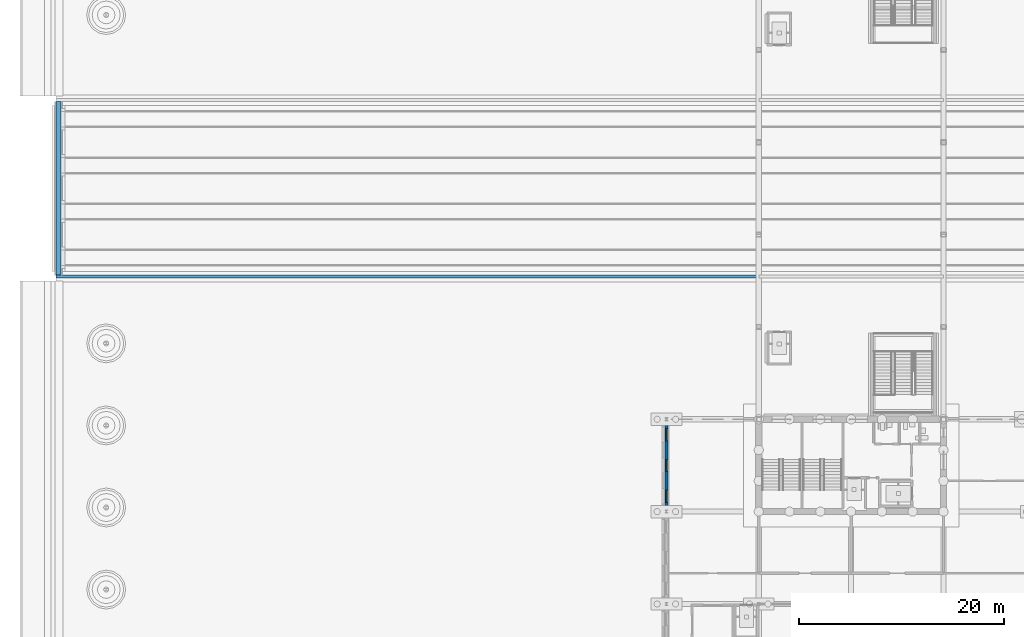
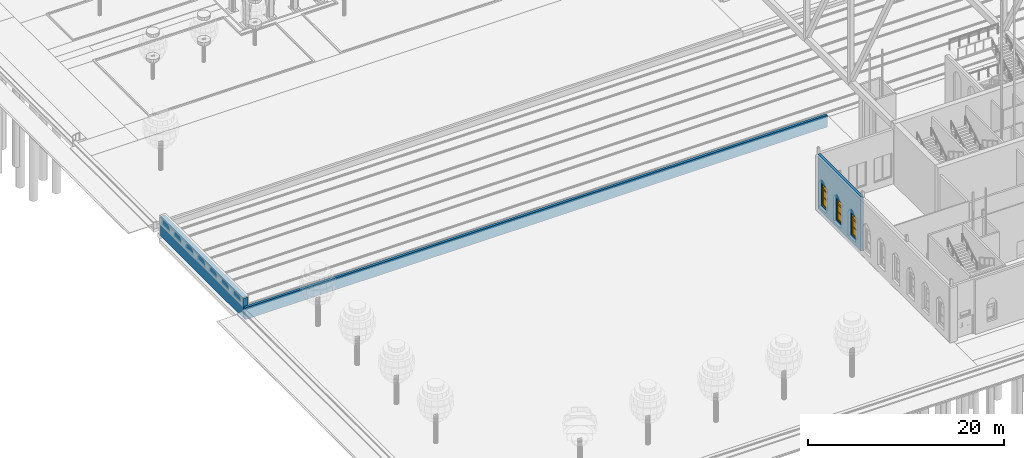
# One storey, part 89 of 250: 3 walls, 3 windows, 3 openings.
"""IFC4 building model written with IfcOpenShell, lengths in metres."""

from ifc_helpers import new_model, si_unit, direction, frame, frame_2d, origin, place, context, subcontext, project, spatial, polyline, rectangle, outline, extrude, material, layer, layer_set, type_object, element, fill, save


model = new_model("IFC4")

# Units and contexts
model_context = context("Model", 3, precision=1e-05, world=origin(), true_north=direction((0.0, 1.0)))
body_context = subcontext(model_context, "Body", "Model", "MODEL_VIEW")
ifc_project = project(units=[si_unit("LENGTHUNIT", "METRE"), si_unit("AREAUNIT", "SQUARE_METRE"), si_unit("VOLUMEUNIT", "CUBIC_METRE"), si_unit("PLANEANGLEUNIT", "RADIAN"), si_unit("MASSUNIT", "GRAM", prefix="KILO")], contexts=[model_context])

# Site, building, storey
site_placement = place(None, origin())
site = spatial("IfcSite", under=ifc_project, at=site_placement, CompositionType="ELEMENT")
building_placement = place(site_placement, origin())
building = spatial("IfcBuilding", under=site, at=building_placement, Name="Baradari Gate Terminus", CompositionType="ELEMENT")
storey_placement = place(building_placement, origin())
storey = spatial("IfcBuildingStorey", under=building, at=storey_placement, Name="L00", CompositionType="ELEMENT", Elevation=0.0)

# Wall, openings, windows
ifc_material_1 = material(Name="Sandstone masonry", Category="masonry")
ifc_layer_1 = layer(ifc_material_1, 0.320068359375)
ifc_layer_set_1 = layer_set([ifc_layer_1], Name="Sandstone masonry")
wall_type_1 = type_object("IfcWallType", Name="Sandstone masonry wall WS-3 320", PredefinedType="SOLIDWALL", material=ifc_layer_set_1)
wall_1_placement = place(storey_placement, frame((63.0, 27.130126953125, 0.0), z_axis=(0.0, 0.0, 1.0), x_axis=(0.0, 1.0, 0.0)))
wall_1 = element("IfcWall", 1, at=wall_1_placement, inside=storey, type_object=wall_type_1, Name="west end wall SW bay 4 L00", PredefinedType="SOLIDWALL", context=body_context, shape_type="SweptSolid", body=[
    extrude(rectangle(XDim=8.73974609375, YDim=0.320068359375, at=frame_2d((4.369873046875, 0.0))), origin(), (0.0, 0.0, 1.0), 6.767333984375),
])
opening_1_placement = place(wall_1_placement, frame((0.769775390625, 0.0, 0.89990234375)))
opening_1 = element("IfcOpeningElement", 2, at=opening_1_placement, cuts=wall_1, Name="Opening W7", PredefinedType="OPENING", context=body_context, shape_type="SweptSolid", body=[
    extrude(rectangle(XDim=1.199951171875, YDim=2.699951171875, at=frame_2d((0.60009765625, 1.35009765625))), frame((0.0, 0.169921875, 0.0), z_axis=(0.0, -1.0, 0.0), x_axis=(1.0, 0.0, 0.0)), (0.0, 0.0, 1.0), 0.340087890625),
])
opening_2_placement = place(wall_1_placement, frame((3.769775390625, 0.0, 0.89990234375)))
opening_2 = element("IfcOpeningElement", 3, at=opening_2_placement, cuts=wall_1, Name="Opening W7", PredefinedType="OPENING", context=body_context, shape_type="SweptSolid", body=[
    extrude(rectangle(XDim=1.199951171875, YDim=2.699951171875, at=frame_2d((0.60009765625, 1.35009765625))), frame((0.0, 0.169921875, 0.0), z_axis=(0.0, -1.0, 0.0), x_axis=(1.0, 0.0, 0.0)), (0.0, 0.0, 1.0), 0.340087890625),
])
opening_3_placement = place(wall_1_placement, frame((6.769775390625, 0.0, 0.89990234375)))
opening_3 = element("IfcOpeningElement", 4, at=opening_3_placement, cuts=wall_1, Name="Opening W7", PredefinedType="OPENING", context=body_context, shape_type="SweptSolid", body=[
    extrude(rectangle(XDim=1.199951171875, YDim=2.699951171875, at=frame_2d((0.60009765625, 1.35009765625))), frame((0.0, 0.169921875, 0.0), z_axis=(0.0, -1.0, 0.0), x_axis=(1.0, 0.0, 0.0)), (0.0, 0.0, 1.0), 0.340087890625),
])
ifc_material_2 = material(Name="Aluminium 6063-T6", Category="aluminium")
window_type = type_object("IfcWindowType", Name="Service block window W7 1200x2700", PartitioningType="DOUBLE_PANEL_HORIZONTAL", PredefinedType="WINDOW", material=ifc_material_2)
window_1_placement = place(opening_1_placement, origin())
window_1 = element("IfcWindow", 5, at=window_1_placement, inside=storey, type_object=window_type, Name="Window W7 SW/03", OverallHeight=2.7, OverallWidth=1.2, PartitioningType="DOUBLE_PANEL_HORIZONTAL", PredefinedType="WINDOW", context=body_context, shape_type="SweptSolid", body=[
    extrude(outline(polyline([(0.0, 0.0), (1.199951171875, 0.0), (1.199951171875, 1.969970703125), (1.195068359375, 2.05517578125), (1.180419921875, 2.13916015625), (1.15625, 2.220947265625), (1.123046875, 2.29931640625), (1.0810546875, 2.37353515625), (1.03076171875, 2.4423828125), (0.972900390625, 2.505126953125), (0.908203125, 2.560791015625), (0.837646484375, 2.608642578125), (0.76220703125, 2.648193359375), (0.6826171875, 2.6787109375), (0.599853515625, 2.699951171875), (0.517333984375, 2.6787109375), (0.437744140625, 2.648193359375), (0.3623046875, 2.608642578125), (0.291748046875, 2.560791015625), (0.22705078125, 2.505126953125), (0.169189453125, 2.4423828125), (0.118896484375, 2.37353515625), (0.076904296875, 2.29931640625), (0.043701171875, 2.220947265625), (0.01953125, 2.13916015625), (0.0048828125, 2.05517578125), (0.0, 1.969970703125), (0.0, 0.0)]), holes=[polyline([(0.070068359375, 0.070068359375), (1.1298828125, 0.070068359375), (1.1298828125, 1.969970703125), (1.12548828125, 2.0458984375), (1.11279296875, 2.12109375), (1.091552734375, 2.1943359375), (1.062255859375, 2.2646484375), (1.025390625, 2.3310546875), (0.98095703125, 2.39306640625), (0.929931640625, 2.44970703125), (0.873046875, 2.500244140625), (0.810791015625, 2.5439453125), (0.743896484375, 2.58056640625), (0.67333984375, 2.609375), (0.60009765625, 2.6298828125), (0.526611328125, 2.609375), (0.4560546875, 2.58056640625), (0.38916015625, 2.5439453125), (0.326904296875, 2.500244140625), (0.27001953125, 2.44970703125), (0.218994140625, 2.39306640625), (0.174560546875, 2.3310546875), (0.1376953125, 2.2646484375), (0.1083984375, 2.1943359375), (0.087158203125, 2.12109375), (0.074462890625, 2.0458984375), (0.070068359375, 1.969970703125), (0.070068359375, 0.070068359375)])]), frame((0.0, 0.030029296875, 0.0), z_axis=(0.0, -1.0, 0.0), x_axis=(1.0, 0.0, 0.0)), (0.0, 0.0, 1.0), 0.06005859375),
    extrude(outline(polyline([(0.0, 1.969970703125), (0.0048828125, 2.05517578125), (0.01953125, 2.13916015625), (0.043701171875, 2.220947265625), (0.076904296875, 2.29931640625), (0.118896484375, 2.37353515625), (0.169189453125, 2.4423828125), (0.22705078125, 2.505126953125), (0.291748046875, 2.560791015625), (0.3623046875, 2.608642578125), (0.437744140625, 2.648193359375), (0.517333984375, 2.6787109375), (0.599853515625, 2.699951171875), (0.0, 2.699951171875), (0.0, 1.969970703125)])), frame((0.0, 0.028076171875, 0.0), z_axis=(0.0, -1.0, 0.0), x_axis=(1.0, 0.0, 0.0)), (0.0, 0.0, 1.0), 0.05615234375),
    extrude(outline(polyline([(0.599853515625, 2.699951171875), (0.6826171875, 2.6787109375), (0.76220703125, 2.648193359375), (0.837646484375, 2.608642578125), (0.908203125, 2.560791015625), (0.972900390625, 2.505126953125), (1.03076171875, 2.4423828125), (1.0810546875, 2.37353515625), (1.123046875, 2.29931640625), (1.15625, 2.220947265625), (1.180419921875, 2.13916015625), (1.195068359375, 2.05517578125), (1.199951171875, 1.969970703125), (1.199951171875, 2.699951171875), (0.599853515625, 2.699951171875)])), frame((0.0, 0.027099609375, 0.0), z_axis=(0.0, -1.0, 0.0), x_axis=(1.0, 0.0, 0.0)), (0.0, 0.0, 1.0), 0.05419921875),
    extrude(outline(polyline([(1.127685546875, 2.010009765625), (0.072265625, 2.010009765625), (0.070068359375, 1.969970703125), (0.070068359375, 1.929931640625), (1.1298828125, 1.929931640625), (1.1298828125, 1.969970703125), (1.127685546875, 2.010009765625)])), frame((0.0, 0.02099609375, 0.0), z_axis=(0.0, -1.0, 0.0), x_axis=(1.0, 0.0, 0.0)), (0.0, 0.0, 1.0), 0.0419921875),
    extrude(rectangle(XDim=1.059814453125, YDim=0.0400390625, at=frame_2d((0.60009765625, 1.0))), frame((0.0, 0.021484375, 0.0), z_axis=(0.0, -1.0, 0.0), x_axis=(1.0, 0.0, 0.0)), (0.0, 0.0, 1.0), 0.04296875),
    extrude(outline(polyline([(0.070068359375, 0.070068359375), (1.1298828125, 0.070068359375), (1.1298828125, 0.97998046875), (0.070068359375, 0.97998046875), (0.070068359375, 0.070068359375)]), holes=[polyline([(0.10009765625, 0.10009765625), (1.099853515625, 0.10009765625), (1.099853515625, 0.949951171875), (0.10009765625, 0.949951171875), (0.10009765625, 0.10009765625)])]), frame((0.0, 0.0224609375, 0.0), z_axis=(0.0, -1.0, 0.0), x_axis=(1.0, 0.0, 0.0)), (0.0, 0.0, 1.0), 0.044921875),
    extrude(rectangle(XDim=0.999755859375, YDim=0.849853515625, at=frame_2d((0.60009765625, 0.52490234375))), frame((0.0, 0.006103515625, 0.0), z_axis=(0.0, -1.0, 0.0), x_axis=(1.0, 0.0, 0.0)), (0.0, 0.0, 1.0), 0.01220703125),
    extrude(outline(polyline([(0.070068359375, 1.02001953125), (1.1298828125, 1.02001953125), (1.1298828125, 1.929931640625), (0.070068359375, 1.929931640625), (0.070068359375, 1.02001953125)]), holes=[polyline([(0.10009765625, 1.050048828125), (1.099853515625, 1.050048828125), (1.099853515625, 1.89990234375), (0.10009765625, 1.89990234375), (0.10009765625, 1.050048828125)])]), frame((0.0, 0.0224609375, 0.0), z_axis=(0.0, -1.0, 0.0), x_axis=(1.0, 0.0, 0.0)), (0.0, 0.0, 1.0), 0.044921875),
    extrude(rectangle(XDim=0.999755859375, YDim=0.849853515625, at=frame_2d((0.60009765625, 1.47509765625))), frame((0.0, 0.006103515625, 0.0), z_axis=(0.0, -1.0, 0.0), x_axis=(1.0, 0.0, 0.0)), (0.0, 0.0, 1.0), 0.01220703125),
    extrude(outline(polyline([(0.072265625, 2.010009765625), (1.127685546875, 2.010009765625), (1.12548828125, 2.0458984375), (1.11279296875, 2.12109375), (1.091552734375, 2.1943359375), (1.062255859375, 2.2646484375), (1.025390625, 2.3310546875), (0.98095703125, 2.39306640625), (0.929931640625, 2.44970703125), (0.873046875, 2.500244140625), (0.810791015625, 2.5439453125), (0.743896484375, 2.58056640625), (0.67333984375, 2.609375), (0.60009765625, 2.6298828125), (0.526611328125, 2.609375), (0.4560546875, 2.58056640625), (0.38916015625, 2.5439453125), (0.326904296875, 2.500244140625), (0.27001953125, 2.44970703125), (0.218994140625, 2.39306640625), (0.174560546875, 2.3310546875), (0.1376953125, 2.2646484375), (0.1083984375, 2.1943359375), (0.087158203125, 2.12109375), (0.074462890625, 2.0458984375), (0.072265625, 2.010009765625)]), holes=[polyline([(0.10986328125, 2.044921875), (0.121337890625, 2.11328125), (0.141357421875, 2.1826171875), (0.169189453125, 2.249267578125), (0.2041015625, 2.312255859375), (0.246337890625, 2.37109375), (0.294677734375, 2.4248046875), (0.3486328125, 2.47265625), (0.40771484375, 2.51416015625), (0.47119140625, 2.548828125), (0.5380859375, 2.576171875), (0.60009765625, 2.593505859375), (0.661865234375, 2.576171875), (0.728759765625, 2.548828125), (0.792236328125, 2.51416015625), (0.851318359375, 2.47265625), (0.9052734375, 2.4248046875), (0.95361328125, 2.37109375), (0.995849609375, 2.312255859375), (1.03076171875, 2.249267578125), (1.05859375, 2.1826171875), (1.07861328125, 2.11328125), (1.090087890625, 2.044921875), (0.10986328125, 2.044921875)])]), frame((0.0, 0.0224609375, 0.0), z_axis=(0.0, -1.0, 0.0), x_axis=(1.0, 0.0, 0.0)), (0.0, 0.0, 1.0), 0.044921875),
    extrude(outline(polyline([(1.090087890625, 2.044921875), (1.07861328125, 2.11328125), (1.05859375, 2.1826171875), (1.03076171875, 2.249267578125), (0.995849609375, 2.312255859375), (0.95361328125, 2.37109375), (0.9052734375, 2.4248046875), (0.851318359375, 2.47265625), (0.792236328125, 2.51416015625), (0.728759765625, 2.548828125), (0.661865234375, 2.576171875), (0.60009765625, 2.593505859375), (0.5380859375, 2.576171875), (0.47119140625, 2.548828125), (0.40771484375, 2.51416015625), (0.3486328125, 2.47265625), (0.294677734375, 2.4248046875), (0.246337890625, 2.37109375), (0.2041015625, 2.312255859375), (0.169189453125, 2.249267578125), (0.141357421875, 2.1826171875), (0.121337890625, 2.11328125), (0.10986328125, 2.044921875), (1.090087890625, 2.044921875)])), frame((0.0, 0.006103515625, 0.0), z_axis=(0.0, -1.0, 0.0), x_axis=(1.0, 0.0, 0.0)), (0.0, 0.0, 1.0), 0.01220703125),
])
fill(opening_1, window_1)
window_2_placement = place(opening_2_placement, origin())
window_2 = element("IfcWindow", 6, at=window_2_placement, inside=storey, type_object=window_type, Name="Window W7 SW/03", OverallHeight=2.7, OverallWidth=1.2, PartitioningType="DOUBLE_PANEL_HORIZONTAL", PredefinedType="WINDOW", context=body_context, shape_type="SweptSolid", body=[
    extrude(outline(polyline([(0.0, 0.0), (1.199951171875, 0.0), (1.199951171875, 1.969970703125), (1.195068359375, 2.05517578125), (1.180419921875, 2.13916015625), (1.15625, 2.220947265625), (1.123046875, 2.29931640625), (1.0810546875, 2.37353515625), (1.03076171875, 2.4423828125), (0.972900390625, 2.505126953125), (0.908203125, 2.560791015625), (0.837646484375, 2.608642578125), (0.76220703125, 2.648193359375), (0.6826171875, 2.6787109375), (0.599853515625, 2.699951171875), (0.517333984375, 2.6787109375), (0.437744140625, 2.648193359375), (0.3623046875, 2.608642578125), (0.291748046875, 2.560791015625), (0.22705078125, 2.505126953125), (0.169189453125, 2.4423828125), (0.118896484375, 2.37353515625), (0.076904296875, 2.29931640625), (0.043701171875, 2.220947265625), (0.01953125, 2.13916015625), (0.0048828125, 2.05517578125), (0.0, 1.969970703125), (0.0, 0.0)]), holes=[polyline([(0.070068359375, 0.070068359375), (1.1298828125, 0.070068359375), (1.1298828125, 1.969970703125), (1.12548828125, 2.0458984375), (1.11279296875, 2.12109375), (1.091552734375, 2.1943359375), (1.062255859375, 2.2646484375), (1.025390625, 2.3310546875), (0.98095703125, 2.39306640625), (0.929931640625, 2.44970703125), (0.873046875, 2.500244140625), (0.810791015625, 2.5439453125), (0.743896484375, 2.58056640625), (0.67333984375, 2.609375), (0.60009765625, 2.6298828125), (0.526611328125, 2.609375), (0.4560546875, 2.58056640625), (0.38916015625, 2.5439453125), (0.326904296875, 2.500244140625), (0.27001953125, 2.44970703125), (0.218994140625, 2.39306640625), (0.174560546875, 2.3310546875), (0.1376953125, 2.2646484375), (0.1083984375, 2.1943359375), (0.087158203125, 2.12109375), (0.074462890625, 2.0458984375), (0.070068359375, 1.969970703125), (0.070068359375, 0.070068359375)])]), frame((0.0, 0.030029296875, 0.0), z_axis=(0.0, -1.0, 0.0), x_axis=(1.0, 0.0, 0.0)), (0.0, 0.0, 1.0), 0.06005859375),
    extrude(outline(polyline([(0.0, 1.969970703125), (0.0048828125, 2.05517578125), (0.01953125, 2.13916015625), (0.043701171875, 2.220947265625), (0.076904296875, 2.29931640625), (0.118896484375, 2.37353515625), (0.169189453125, 2.4423828125), (0.22705078125, 2.505126953125), (0.291748046875, 2.560791015625), (0.3623046875, 2.608642578125), (0.437744140625, 2.648193359375), (0.517333984375, 2.6787109375), (0.599853515625, 2.699951171875), (0.0, 2.699951171875), (0.0, 1.969970703125)])), frame((0.0, 0.028076171875, 0.0), z_axis=(0.0, -1.0, 0.0), x_axis=(1.0, 0.0, 0.0)), (0.0, 0.0, 1.0), 0.05615234375),
    extrude(outline(polyline([(0.599853515625, 2.699951171875), (0.6826171875, 2.6787109375), (0.76220703125, 2.648193359375), (0.837646484375, 2.608642578125), (0.908203125, 2.560791015625), (0.972900390625, 2.505126953125), (1.03076171875, 2.4423828125), (1.0810546875, 2.37353515625), (1.123046875, 2.29931640625), (1.15625, 2.220947265625), (1.180419921875, 2.13916015625), (1.195068359375, 2.05517578125), (1.199951171875, 1.969970703125), (1.199951171875, 2.699951171875), (0.599853515625, 2.699951171875)])), frame((0.0, 0.027099609375, 0.0), z_axis=(0.0, -1.0, 0.0), x_axis=(1.0, 0.0, 0.0)), (0.0, 0.0, 1.0), 0.05419921875),
    extrude(outline(polyline([(1.127685546875, 2.010009765625), (0.072265625, 2.010009765625), (0.070068359375, 1.969970703125), (0.070068359375, 1.929931640625), (1.1298828125, 1.929931640625), (1.1298828125, 1.969970703125), (1.127685546875, 2.010009765625)])), frame((0.0, 0.02099609375, 0.0), z_axis=(0.0, -1.0, 0.0), x_axis=(1.0, 0.0, 0.0)), (0.0, 0.0, 1.0), 0.0419921875),
    extrude(rectangle(XDim=1.059814453125, YDim=0.0400390625, at=frame_2d((0.60009765625, 1.0))), frame((0.0, 0.021484375, 0.0), z_axis=(0.0, -1.0, 0.0), x_axis=(1.0, 0.0, 0.0)), (0.0, 0.0, 1.0), 0.04296875),
    extrude(outline(polyline([(0.070068359375, 0.070068359375), (1.1298828125, 0.070068359375), (1.1298828125, 0.97998046875), (0.070068359375, 0.97998046875), (0.070068359375, 0.070068359375)]), holes=[polyline([(0.10009765625, 0.10009765625), (1.099853515625, 0.10009765625), (1.099853515625, 0.949951171875), (0.10009765625, 0.949951171875), (0.10009765625, 0.10009765625)])]), frame((0.0, 0.0224609375, 0.0), z_axis=(0.0, -1.0, 0.0), x_axis=(1.0, 0.0, 0.0)), (0.0, 0.0, 1.0), 0.044921875),
    extrude(rectangle(XDim=0.999755859375, YDim=0.849853515625, at=frame_2d((0.60009765625, 0.52490234375))), frame((0.0, 0.006103515625, 0.0), z_axis=(0.0, -1.0, 0.0), x_axis=(1.0, 0.0, 0.0)), (0.0, 0.0, 1.0), 0.01220703125),
    extrude(outline(polyline([(0.070068359375, 1.02001953125), (1.1298828125, 1.02001953125), (1.1298828125, 1.929931640625), (0.070068359375, 1.929931640625), (0.070068359375, 1.02001953125)]), holes=[polyline([(0.10009765625, 1.050048828125), (1.099853515625, 1.050048828125), (1.099853515625, 1.89990234375), (0.10009765625, 1.89990234375), (0.10009765625, 1.050048828125)])]), frame((0.0, 0.0224609375, 0.0), z_axis=(0.0, -1.0, 0.0), x_axis=(1.0, 0.0, 0.0)), (0.0, 0.0, 1.0), 0.044921875),
    extrude(rectangle(XDim=0.999755859375, YDim=0.849853515625, at=frame_2d((0.60009765625, 1.47509765625))), frame((0.0, 0.006103515625, 0.0), z_axis=(0.0, -1.0, 0.0), x_axis=(1.0, 0.0, 0.0)), (0.0, 0.0, 1.0), 0.01220703125),
    extrude(outline(polyline([(0.072265625, 2.010009765625), (1.127685546875, 2.010009765625), (1.12548828125, 2.0458984375), (1.11279296875, 2.12109375), (1.091552734375, 2.1943359375), (1.062255859375, 2.2646484375), (1.025390625, 2.3310546875), (0.98095703125, 2.39306640625), (0.929931640625, 2.44970703125), (0.873046875, 2.500244140625), (0.810791015625, 2.5439453125), (0.743896484375, 2.58056640625), (0.67333984375, 2.609375), (0.60009765625, 2.6298828125), (0.526611328125, 2.609375), (0.4560546875, 2.58056640625), (0.38916015625, 2.5439453125), (0.326904296875, 2.500244140625), (0.27001953125, 2.44970703125), (0.218994140625, 2.39306640625), (0.174560546875, 2.3310546875), (0.1376953125, 2.2646484375), (0.1083984375, 2.1943359375), (0.087158203125, 2.12109375), (0.074462890625, 2.0458984375), (0.072265625, 2.010009765625)]), holes=[polyline([(0.10986328125, 2.044921875), (0.121337890625, 2.11328125), (0.141357421875, 2.1826171875), (0.169189453125, 2.249267578125), (0.2041015625, 2.312255859375), (0.246337890625, 2.37109375), (0.294677734375, 2.4248046875), (0.3486328125, 2.47265625), (0.40771484375, 2.51416015625), (0.47119140625, 2.548828125), (0.5380859375, 2.576171875), (0.60009765625, 2.593505859375), (0.661865234375, 2.576171875), (0.728759765625, 2.548828125), (0.792236328125, 2.51416015625), (0.851318359375, 2.47265625), (0.9052734375, 2.4248046875), (0.95361328125, 2.37109375), (0.995849609375, 2.312255859375), (1.03076171875, 2.249267578125), (1.05859375, 2.1826171875), (1.07861328125, 2.11328125), (1.090087890625, 2.044921875), (0.10986328125, 2.044921875)])]), frame((0.0, 0.0224609375, 0.0), z_axis=(0.0, -1.0, 0.0), x_axis=(1.0, 0.0, 0.0)), (0.0, 0.0, 1.0), 0.044921875),
    extrude(outline(polyline([(1.090087890625, 2.044921875), (1.07861328125, 2.11328125), (1.05859375, 2.1826171875), (1.03076171875, 2.249267578125), (0.995849609375, 2.312255859375), (0.95361328125, 2.37109375), (0.9052734375, 2.4248046875), (0.851318359375, 2.47265625), (0.792236328125, 2.51416015625), (0.728759765625, 2.548828125), (0.661865234375, 2.576171875), (0.60009765625, 2.593505859375), (0.5380859375, 2.576171875), (0.47119140625, 2.548828125), (0.40771484375, 2.51416015625), (0.3486328125, 2.47265625), (0.294677734375, 2.4248046875), (0.246337890625, 2.37109375), (0.2041015625, 2.312255859375), (0.169189453125, 2.249267578125), (0.141357421875, 2.1826171875), (0.121337890625, 2.11328125), (0.10986328125, 2.044921875), (1.090087890625, 2.044921875)])), frame((0.0, 0.006103515625, 0.0), z_axis=(0.0, -1.0, 0.0), x_axis=(1.0, 0.0, 0.0)), (0.0, 0.0, 1.0), 0.01220703125),
])
fill(opening_2, window_2)
window_3_placement = place(opening_3_placement, origin())
window_3 = element("IfcWindow", 7, at=window_3_placement, inside=storey, type_object=window_type, Name="Window W7 SW/03", OverallHeight=2.7, OverallWidth=1.2, PartitioningType="DOUBLE_PANEL_HORIZONTAL", PredefinedType="WINDOW", context=body_context, shape_type="SweptSolid", body=[
    extrude(outline(polyline([(0.0, 0.0), (1.199951171875, 0.0), (1.199951171875, 1.969970703125), (1.195068359375, 2.05517578125), (1.180419921875, 2.13916015625), (1.15625, 2.220947265625), (1.123046875, 2.29931640625), (1.0810546875, 2.37353515625), (1.03076171875, 2.4423828125), (0.972900390625, 2.505126953125), (0.908203125, 2.560791015625), (0.837646484375, 2.608642578125), (0.76220703125, 2.648193359375), (0.6826171875, 2.6787109375), (0.599853515625, 2.699951171875), (0.517333984375, 2.6787109375), (0.437744140625, 2.648193359375), (0.3623046875, 2.608642578125), (0.291748046875, 2.560791015625), (0.22705078125, 2.505126953125), (0.169189453125, 2.4423828125), (0.118896484375, 2.37353515625), (0.076904296875, 2.29931640625), (0.043701171875, 2.220947265625), (0.01953125, 2.13916015625), (0.0048828125, 2.05517578125), (0.0, 1.969970703125), (0.0, 0.0)]), holes=[polyline([(0.070068359375, 0.070068359375), (1.1298828125, 0.070068359375), (1.1298828125, 1.969970703125), (1.12548828125, 2.0458984375), (1.11279296875, 2.12109375), (1.091552734375, 2.1943359375), (1.062255859375, 2.2646484375), (1.025390625, 2.3310546875), (0.98095703125, 2.39306640625), (0.929931640625, 2.44970703125), (0.873046875, 2.500244140625), (0.810791015625, 2.5439453125), (0.743896484375, 2.58056640625), (0.67333984375, 2.609375), (0.60009765625, 2.6298828125), (0.526611328125, 2.609375), (0.4560546875, 2.58056640625), (0.38916015625, 2.5439453125), (0.326904296875, 2.500244140625), (0.27001953125, 2.44970703125), (0.218994140625, 2.39306640625), (0.174560546875, 2.3310546875), (0.1376953125, 2.2646484375), (0.1083984375, 2.1943359375), (0.087158203125, 2.12109375), (0.074462890625, 2.0458984375), (0.070068359375, 1.969970703125), (0.070068359375, 0.070068359375)])]), frame((0.0, 0.030029296875, 0.0), z_axis=(0.0, -1.0, 0.0), x_axis=(1.0, 0.0, 0.0)), (0.0, 0.0, 1.0), 0.06005859375),
    extrude(outline(polyline([(0.0, 1.969970703125), (0.0048828125, 2.05517578125), (0.01953125, 2.13916015625), (0.043701171875, 2.220947265625), (0.076904296875, 2.29931640625), (0.118896484375, 2.37353515625), (0.169189453125, 2.4423828125), (0.22705078125, 2.505126953125), (0.291748046875, 2.560791015625), (0.3623046875, 2.608642578125), (0.437744140625, 2.648193359375), (0.517333984375, 2.6787109375), (0.599853515625, 2.699951171875), (0.0, 2.699951171875), (0.0, 1.969970703125)])), frame((0.0, 0.028076171875, 0.0), z_axis=(0.0, -1.0, 0.0), x_axis=(1.0, 0.0, 0.0)), (0.0, 0.0, 1.0), 0.05615234375),
    extrude(outline(polyline([(0.599853515625, 2.699951171875), (0.6826171875, 2.6787109375), (0.76220703125, 2.648193359375), (0.837646484375, 2.608642578125), (0.908203125, 2.560791015625), (0.972900390625, 2.505126953125), (1.03076171875, 2.4423828125), (1.0810546875, 2.37353515625), (1.123046875, 2.29931640625), (1.15625, 2.220947265625), (1.180419921875, 2.13916015625), (1.195068359375, 2.05517578125), (1.199951171875, 1.969970703125), (1.199951171875, 2.699951171875), (0.599853515625, 2.699951171875)])), frame((0.0, 0.027099609375, 0.0), z_axis=(0.0, -1.0, 0.0), x_axis=(1.0, 0.0, 0.0)), (0.0, 0.0, 1.0), 0.05419921875),
    extrude(outline(polyline([(1.127685546875, 2.010009765625), (0.072265625, 2.010009765625), (0.070068359375, 1.969970703125), (0.070068359375, 1.929931640625), (1.1298828125, 1.929931640625), (1.1298828125, 1.969970703125), (1.127685546875, 2.010009765625)])), frame((0.0, 0.02099609375, 0.0), z_axis=(0.0, -1.0, 0.0), x_axis=(1.0, 0.0, 0.0)), (0.0, 0.0, 1.0), 0.0419921875),
    extrude(rectangle(XDim=1.059814453125, YDim=0.0400390625, at=frame_2d((0.60009765625, 1.0))), frame((0.0, 0.021484375, 0.0), z_axis=(0.0, -1.0, 0.0), x_axis=(1.0, 0.0, 0.0)), (0.0, 0.0, 1.0), 0.04296875),
    extrude(outline(polyline([(0.070068359375, 0.070068359375), (1.1298828125, 0.070068359375), (1.1298828125, 0.97998046875), (0.070068359375, 0.97998046875), (0.070068359375, 0.070068359375)]), holes=[polyline([(0.10009765625, 0.10009765625), (1.099853515625, 0.10009765625), (1.099853515625, 0.949951171875), (0.10009765625, 0.949951171875), (0.10009765625, 0.10009765625)])]), frame((0.0, 0.0224609375, 0.0), z_axis=(0.0, -1.0, 0.0), x_axis=(1.0, 0.0, 0.0)), (0.0, 0.0, 1.0), 0.044921875),
    extrude(rectangle(XDim=0.999755859375, YDim=0.849853515625, at=frame_2d((0.60009765625, 0.52490234375))), frame((0.0, 0.006103515625, 0.0), z_axis=(0.0, -1.0, 0.0), x_axis=(1.0, 0.0, 0.0)), (0.0, 0.0, 1.0), 0.01220703125),
    extrude(outline(polyline([(0.070068359375, 1.02001953125), (1.1298828125, 1.02001953125), (1.1298828125, 1.929931640625), (0.070068359375, 1.929931640625), (0.070068359375, 1.02001953125)]), holes=[polyline([(0.10009765625, 1.050048828125), (1.099853515625, 1.050048828125), (1.099853515625, 1.89990234375), (0.10009765625, 1.89990234375), (0.10009765625, 1.050048828125)])]), frame((0.0, 0.0224609375, 0.0), z_axis=(0.0, -1.0, 0.0), x_axis=(1.0, 0.0, 0.0)), (0.0, 0.0, 1.0), 0.044921875),
    extrude(rectangle(XDim=0.999755859375, YDim=0.849853515625, at=frame_2d((0.60009765625, 1.47509765625))), frame((0.0, 0.006103515625, 0.0), z_axis=(0.0, -1.0, 0.0), x_axis=(1.0, 0.0, 0.0)), (0.0, 0.0, 1.0), 0.01220703125),
    extrude(outline(polyline([(0.072265625, 2.010009765625), (1.127685546875, 2.010009765625), (1.12548828125, 2.0458984375), (1.11279296875, 2.12109375), (1.091552734375, 2.1943359375), (1.062255859375, 2.2646484375), (1.025390625, 2.3310546875), (0.98095703125, 2.39306640625), (0.929931640625, 2.44970703125), (0.873046875, 2.500244140625), (0.810791015625, 2.5439453125), (0.743896484375, 2.58056640625), (0.67333984375, 2.609375), (0.60009765625, 2.6298828125), (0.526611328125, 2.609375), (0.4560546875, 2.58056640625), (0.38916015625, 2.5439453125), (0.326904296875, 2.500244140625), (0.27001953125, 2.44970703125), (0.218994140625, 2.39306640625), (0.174560546875, 2.3310546875), (0.1376953125, 2.2646484375), (0.1083984375, 2.1943359375), (0.087158203125, 2.12109375), (0.074462890625, 2.0458984375), (0.072265625, 2.010009765625)]), holes=[polyline([(0.10986328125, 2.044921875), (0.121337890625, 2.11328125), (0.141357421875, 2.1826171875), (0.169189453125, 2.249267578125), (0.2041015625, 2.312255859375), (0.246337890625, 2.37109375), (0.294677734375, 2.4248046875), (0.3486328125, 2.47265625), (0.40771484375, 2.51416015625), (0.47119140625, 2.548828125), (0.5380859375, 2.576171875), (0.60009765625, 2.593505859375), (0.661865234375, 2.576171875), (0.728759765625, 2.548828125), (0.792236328125, 2.51416015625), (0.851318359375, 2.47265625), (0.9052734375, 2.4248046875), (0.95361328125, 2.37109375), (0.995849609375, 2.312255859375), (1.03076171875, 2.249267578125), (1.05859375, 2.1826171875), (1.07861328125, 2.11328125), (1.090087890625, 2.044921875), (0.10986328125, 2.044921875)])]), frame((0.0, 0.0224609375, 0.0), z_axis=(0.0, -1.0, 0.0), x_axis=(1.0, 0.0, 0.0)), (0.0, 0.0, 1.0), 0.044921875),
    extrude(outline(polyline([(1.090087890625, 2.044921875), (1.07861328125, 2.11328125), (1.05859375, 2.1826171875), (1.03076171875, 2.249267578125), (0.995849609375, 2.312255859375), (0.95361328125, 2.37109375), (0.9052734375, 2.4248046875), (0.851318359375, 2.47265625), (0.792236328125, 2.51416015625), (0.728759765625, 2.548828125), (0.661865234375, 2.576171875), (0.60009765625, 2.593505859375), (0.5380859375, 2.576171875), (0.47119140625, 2.548828125), (0.40771484375, 2.51416015625), (0.3486328125, 2.47265625), (0.294677734375, 2.4248046875), (0.246337890625, 2.37109375), (0.2041015625, 2.312255859375), (0.169189453125, 2.249267578125), (0.141357421875, 2.1826171875), (0.121337890625, 2.11328125), (0.10986328125, 2.044921875), (1.090087890625, 2.044921875)])), frame((0.0, 0.006103515625, 0.0), z_axis=(0.0, -1.0, 0.0), x_axis=(1.0, 0.0, 0.0)), (0.0, 0.0, 1.0), 0.01220703125),
])
fill(opening_3, window_3)

# Walls
ifc_material_3 = material(Name="Concrete C40/50", Category="concrete")
ifc_layer_2 = layer(ifc_material_3, 0.5)
ifc_layer_set_2 = layer_set([ifc_layer_2], Name="Concrete C40/50")
wall_type_2 = type_object("IfcWallType", Name="Track headwall HW1 500", PredefinedType="SOLIDWALL", material=ifc_layer_set_2)
wall_2_placement = place(storey_placement, frame((3.75, 50.050048828125, -1.471923828125), z_axis=(0.0, 0.0, 1.0), x_axis=(0.0, 1.0, 0.0)))
element("IfcWall", 8, at=wall_2_placement, inside=storey, type_object=wall_type_2, Name="Track headwall W", PredefinedType="SOLIDWALL", context=body_context, shape_type="SweptSolid", body=[
    extrude(rectangle(XDim=16.89990234375, YDim=0.5, at=frame_2d((8.449951171875, 0.0))), origin(), (0.0, 0.0, 1.0), 2.471923828125),
])
ifc_material_4 = material(Name="Concrete C40/50", Category="concrete")
ifc_layer_3 = layer(ifc_material_4, 0.300048828125)
ifc_layer_set_3 = layer_set([ifc_layer_3], Name="Concrete C40/50")
wall_type_3 = type_object("IfcWallType", Name="Track wing wall WW1 300", PredefinedType="SOLIDWALL", material=ifc_layer_set_3)
wall_3_placement = place(storey_placement, frame((3.5, 49.89990234375, -1.471923828125), z_axis=(0.0, 0.0, 1.0), x_axis=(1.0, 0.0, 0.0)))
element("IfcWall", 9, at=wall_3_placement, inside=storey, type_object=wall_type_3, Name="Track wing wall WS", PredefinedType="SOLIDWALL", context=body_context, shape_type="SweptSolid", body=[
    extrude(rectangle(XDim=68.5, YDim=0.300048828125, at=frame_2d((34.25, 0.0))), origin(), (0.0, 0.0, 1.0), 1.471923828125),
])

save(model, "model.ifc")
